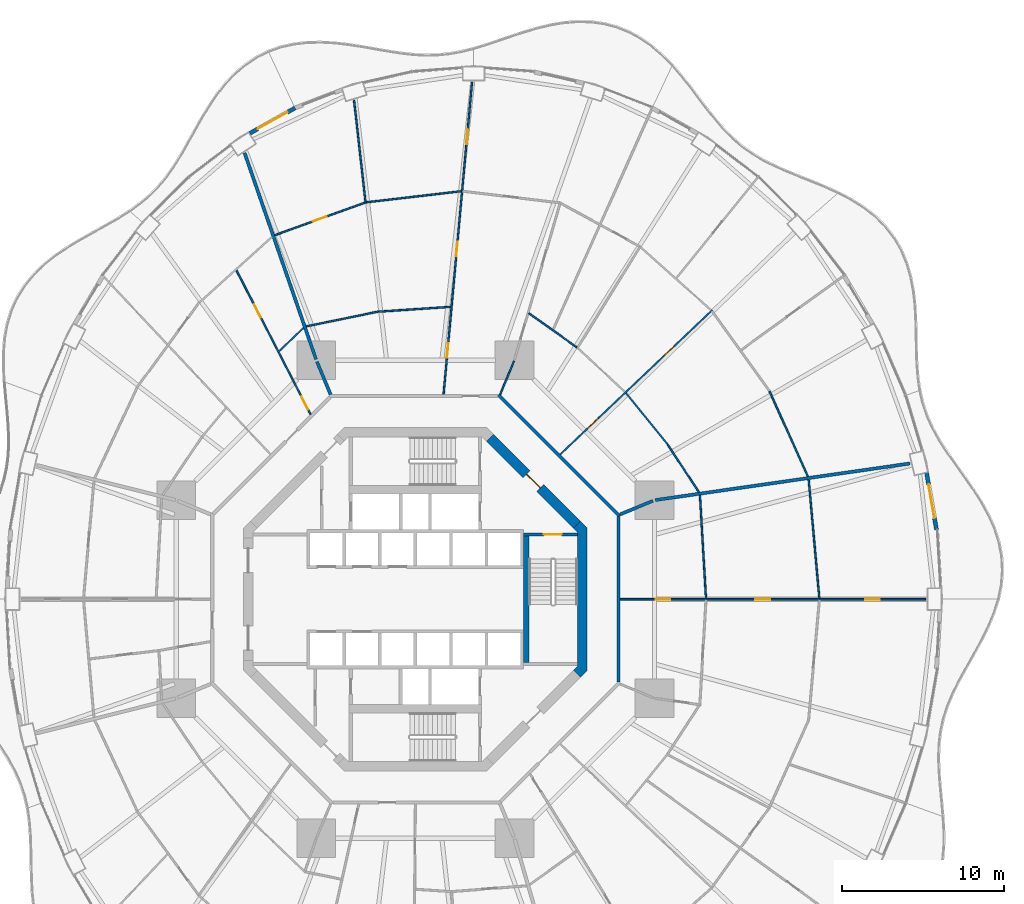
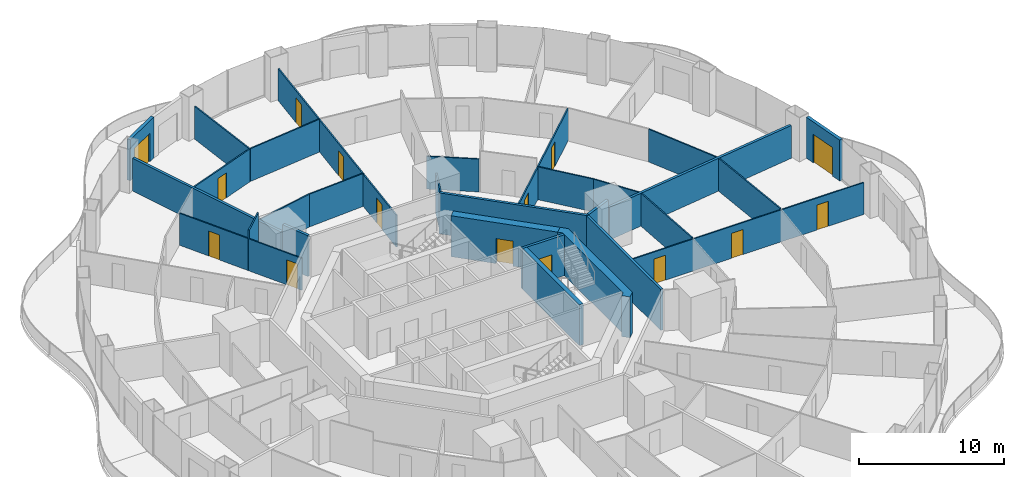
# One storey, part 18 of 22: 29 walls, 15 doors, 15 openings.
"""IFC4 building model written with IfcOpenShell, lengths in metres."""

from ifc_helpers import new_model, si_unit, direction, frame, frame_2d, origin, place, context, subcontext, project, spatial, polyline, rectangle, outline, extrude, material, layer, layer_set, type_object, element, fill, save


model = new_model("IFC4")

# Units and contexts
model_context = context("Model", 3, precision=1e-05, world=origin(), true_north=direction((0.0, 1.0)))
body_context = subcontext(model_context, "Body", "Model", "MODEL_VIEW")
ifc_project = project(units=[si_unit("LENGTHUNIT", "METRE"), si_unit("AREAUNIT", "SQUARE_METRE"), si_unit("VOLUMEUNIT", "CUBIC_METRE"), si_unit("PLANEANGLEUNIT", "RADIAN"), si_unit("MASSUNIT", "GRAM", prefix="KILO")], contexts=[model_context])

# Site, building, storey
site_placement = place(None, origin())
site = spatial("IfcSite", under=ifc_project, at=site_placement, CompositionType="ELEMENT")
building_placement = place(site_placement, origin())
building = spatial("IfcBuilding", under=site, at=building_placement, Name="Nagisa Residences", CompositionType="ELEMENT")
storey_placement = place(building_placement, frame((0.0, 0.0, 52.89990234375)))
storey = spatial("IfcBuildingStorey", under=building, at=storey_placement, Name="L12", CompositionType="ELEMENT", Elevation=52.89990234375)

# Walls
ifc_material_1 = material(Name="Gypsum board on steel studs", Category="steel")
ifc_layer_1 = layer(ifc_material_1, 0.199951171875)
ifc_layer_set_1 = layer_set([ifc_layer_1], Name="Apartment compartment wall EI60 200")
wall_type_1 = type_object("IfcWallType", Name="Apartment compartment wall EI60 200", PredefinedType="PARTITIONING", material=ifc_layer_set_1)
wall_1_placement = place(storey_placement, frame((12.6572265625, 5.24267578125, 0.0), z_axis=(0.0, 0.0, 1.0), x_axis=(0.923853160736, 0.382747093259, 0.0)))
element("IfcWall", 1, at=wall_1_placement, inside=storey, type_object=wall_type_1, Name="wall:L12:u00", PredefinedType="PARTITIONING", context=body_context, shape_type="SweptSolid", body=[
    extrude(rectangle(XDim=2.199951171875, YDim=0.199951171875, at=frame_2d((1.10009765625, 0.0))), origin(), (0.0, 0.0, 1.0), 3.440185546875),
])
wall_2_placement = place(storey_placement, frame((14.83154296875, 6.130126953125, 0.0), z_axis=(0.0, 0.0, 1.0), x_axis=(0.989836541293, 0.142209779978, 0.0)))
element("IfcWall", 2, at=wall_2_placement, inside=storey, type_object=wall_type_1, Name="wall:L12:u01", PredefinedType="PARTITIONING", context=body_context, shape_type="SweptSolid", body=[
    extrude(rectangle(XDim=15.9091796875, YDim=0.199951171875, at=frame_2d((7.95458984375, 0.0))), origin(), (0.0, 0.0, 1.0), 2.756103515625),
])
wall_3_placement = place(storey_placement, frame((-5.24267578125, 12.6572265625, 0.0), z_axis=(0.0, 0.0, 1.0), x_axis=(-0.382668627144, 0.923885664896, 0.0)))
element("IfcWall", 3, at=wall_3_placement, inside=storey, type_object=wall_type_1, Name="wall:L12:u02", PredefinedType="PARTITIONING", context=body_context, shape_type="SweptSolid", body=[
    extrude(rectangle(XDim=2.200439453125, YDim=0.199951171875, at=frame_2d((1.10009765625, 0.0))), origin(), (0.0, 0.0, 1.0), 3.440185546875),
])
wall_4_placement = place(storey_placement, frame((-6.139404296875, 14.829345703125, 0.0), z_axis=(0.0, 0.0, 1.0), x_axis=(-0.327178799566, 0.944962450637, 0.0)))
element("IfcWall", 4, at=wall_4_placement, inside=storey, type_object=wall_type_1, Name="wall:L12:u03", PredefinedType="PARTITIONING", context=body_context, shape_type="SweptSolid", body=[
    extrude(rectangle(XDim=13.517333984375, YDim=0.199951171875, at=frame_2d((6.7587890625, 0.0))), origin(), (0.0, 0.0, 1.0), 2.756103515625),
])
ifc_material_2 = material(Name="Gypsum board on steel studs", Category="steel")
ifc_layer_2 = layer(ifc_material_2, 0.199951171875)
ifc_layer_set_2 = layer_set([ifc_layer_2], Name="Apartment entry wall EI60 200")
wall_type_2 = type_object("IfcWallType", Name="Apartment entry wall EI60 200", PredefinedType="PARTITIONING", material=ifc_layer_set_2)
wall_5_placement = place(storey_placement, frame((12.564697265625, -5.1044921875, 0.0), z_axis=(0.0, 0.0, 1.0), x_axis=(0.0, 1.0, 0.0)))
element("IfcWall", 5, at=wall_5_placement, inside=storey, type_object=wall_type_2, Name="wall:L12:u10", PredefinedType="PARTITIONING", context=body_context, shape_type="SweptSolid", body=[
    extrude(rectangle(XDim=10.208984375, YDim=0.199951171875, at=frame_2d((5.1044921875, 0.0))), origin(), (0.0, 0.0, 1.0), 3.440185546875),
])
wall_6_placement = place(storey_placement, frame((12.635498046875, 5.1337890625, 0.0), z_axis=(0.0, 0.0, 1.0), x_axis=(-0.707106781187, 0.707106781187, 0.0)))
element("IfcWall", 6, at=wall_6_placement, inside=storey, type_object=wall_type_2, Name="wall:L12:u11", PredefinedType="PARTITIONING", context=body_context, shape_type="SweptSolid", body=[
    extrude(rectangle(XDim=10.609130859375, YDim=0.199951171875, at=frame_2d((5.3046875, 0.0))), origin(), (0.0, 0.0, 1.0), 3.440185546875),
])

# Wall, openings, doors
ifc_material_3 = material(Name="Gypsum board on steel studs", Category="steel")
ifc_layer_3 = layer(ifc_material_3, 0.10009765625)
ifc_layer_set_3 = layer_set([ifc_layer_3], Name="Apartment partition 100")
wall_type_3 = type_object("IfcWallType", Name="Apartment partition 100", PredefinedType="PARTITIONING", material=ifc_layer_set_3)
wall_7_placement = place(storey_placement, frame((12.664794921875, 0.0, 0.0), z_axis=(0.0, 0.0, 1.0), x_axis=(1.0, 0.0, 0.0)))
wall_7 = element("IfcWall", 7, at=wall_7_placement, inside=storey, type_object=wall_type_3, Name="wall:L12:u18", PredefinedType="PARTITIONING", context=body_context, shape_type="SweptSolid", body=[
    extrude(rectangle(XDim=18.88525390625, YDim=0.10009765625, at=frame_2d((9.442626953125, 0.0))), origin(), (0.0, 0.0, 1.0), 2.68701171875),
])
opening_1_placement = place(wall_7_placement, frame((2.204833984375, 0.0, 0.0)))
opening_1 = element("IfcOpeningElement", 8, at=opening_1_placement, cuts=wall_7, Name="Opening L12-U32", PredefinedType="OPENING", context=body_context, shape_type="SweptSolid", body=[
    extrude(rectangle(XDim=0.89990234375, YDim=2.10009765625, at=frame_2d((0.449951171875, 1.050048828125))), frame((0.0, 0.06005859375, 0.0), z_axis=(0.0, -1.0, 0.0), x_axis=(1.0, 0.0, 0.0)), (0.0, 0.0, 1.0), 0.1201171875),
])
opening_2_placement = place(wall_7_placement, frame((8.36572265625, 0.0, 0.0)))
opening_2 = element("IfcOpeningElement", 9, at=opening_2_placement, cuts=wall_7, Name="Opening L12-U36", PredefinedType="OPENING", context=body_context, shape_type="SweptSolid", body=[
    extrude(rectangle(XDim=0.89990234375, YDim=2.10009765625, at=frame_2d((0.449951171875, 1.050048828125))), frame((0.0, 0.06005859375, 0.0), z_axis=(0.0, -1.0, 0.0), x_axis=(1.0, 0.0, 0.0)), (0.0, 0.0, 1.0), 0.1201171875),
])
opening_3_placement = place(wall_7_placement, frame((15.153564453125, 0.0, 0.0)))
opening_3 = element("IfcOpeningElement", 10, at=opening_3_placement, cuts=wall_7, Name="Opening L12-U41", PredefinedType="OPENING", context=body_context, shape_type="SweptSolid", body=[
    extrude(rectangle(XDim=0.89990234375, YDim=2.10009765625, at=frame_2d((0.449951171875, 1.050048828125))), frame((0.0, 0.06005859375, 0.0), z_axis=(0.0, -1.0, 0.0), x_axis=(1.0, 0.0, 0.0)), (0.0, 0.0, 1.0), 0.1201171875),
])
ifc_material_4 = material(Name="Timber door set", Category="wood")
door_type_1 = type_object("IfcDoorType", Name="Apartment door 900x2100", OperationType="NOTDEFINED", PredefinedType="DOOR", material=ifc_material_4)
door_1_placement = place(opening_1_placement, origin())
door_1 = element("IfcDoor", 11, at=door_1_placement, inside=storey, type_object=door_type_1, Name="Door to store, Apartment 12D", OperationType="SINGLE_SWING_RIGHT", OverallHeight=2.10009765625, OverallWidth=0.89990234375, PredefinedType="DOOR", context=body_context, shape_type="SweptSolid", body=[
    extrude(rectangle(XDim=0.89990234375, YDim=2.10009765625, at=frame_2d((0.449951171875, 1.050048828125))), frame((0.0, 0.02490234375, 0.0), z_axis=(0.0, -1.0, 0.0), x_axis=(1.0, 0.0, 0.0)), (0.0, 0.0, 1.0), 0.050048828125),
])
fill(opening_1, door_1)
door_2_placement = place(opening_2_placement, origin())
door_2 = element("IfcDoor", 12, at=door_2_placement, inside=storey, type_object=door_type_1, Name="Door to family room, Apartment 12D", OperationType="SINGLE_SWING_RIGHT", OverallHeight=2.10009765625, OverallWidth=0.89990234375, PredefinedType="DOOR", context=body_context, shape_type="SweptSolid", body=[
    extrude(rectangle(XDim=0.89990234375, YDim=2.10009765625, at=frame_2d((0.449951171875, 1.050048828125))), frame((0.0, 0.02490234375, 0.0), z_axis=(0.0, -1.0, 0.0), x_axis=(1.0, 0.0, 0.0)), (0.0, 0.0, 1.0), 0.050048828125),
])
fill(opening_2, door_2)
door_3_placement = place(opening_3_placement, origin())
door_3 = element("IfcDoor", 13, at=door_3_placement, inside=storey, type_object=door_type_1, Name="Door to family room, Apartment 12D", OperationType="SINGLE_SWING_LEFT", OverallHeight=2.10009765625, OverallWidth=0.89990234375, PredefinedType="DOOR", context=body_context, shape_type="SweptSolid", body=[
    extrude(rectangle(XDim=0.89990234375, YDim=2.10009765625, at=frame_2d((0.449951171875, 1.050048828125))), frame((0.0, 0.02490234375, 0.0), z_axis=(0.0, -1.0, 0.0), x_axis=(1.0, 0.0, 0.0)), (0.0, 0.0, 1.0), 0.050048828125),
])
fill(opening_3, door_3)

# Walls
wall_8_placement = place(storey_placement, frame((17.971435546875, 0.0498046875, 0.0), z_axis=(0.0, 0.0, 1.0), x_axis=(-0.058513659907, 0.998286607946, 0.0)))
element("IfcWall", 14, at=wall_8_placement, inside=storey, type_object=wall_type_3, Name="wall:L12:u19", PredefinedType="PARTITIONING", context=body_context, shape_type="SweptSolid", body=[
    extrude(rectangle(XDim=6.387939453125, YDim=0.10009765625, at=frame_2d((3.19384765625, 0.0))), origin(), (0.0, 0.0, 1.0), 2.756103515625),
])
wall_9_placement = place(storey_placement, frame((24.982177734375, 0.0498046875, 0.0), z_axis=(0.0, 0.0, 1.0), x_axis=(-0.08944290521, 0.995991951126, 0.0)))
element("IfcWall", 15, at=wall_9_placement, inside=storey, type_object=wall_type_3, Name="wall:L12:u21", PredefinedType="PARTITIONING", context=body_context, shape_type="SweptSolid", body=[
    extrude(rectangle(XDim=7.37255859375, YDim=0.10009765625, at=frame_2d((3.686279296875, 0.0))), origin(), (0.0, 0.0, 1.0), 2.756103515625),
])
wall_10_placement = place(storey_placement, frame((17.537109375, 6.6103515625, 0.0), z_axis=(0.0, 0.0, 1.0), x_axis=(-0.547637987196, 0.836715384692, 0.0)))
element("IfcWall", 16, at=wall_10_placement, inside=storey, type_object=wall_type_3, Name="wall:L12:u23", PredefinedType="PARTITIONING", context=body_context, shape_type="SweptSolid", body=[
    extrude(rectangle(XDim=3.52001953125, YDim=0.10009765625, at=frame_2d((1.760009765625, 0.0))), origin(), (0.0, 0.0, 1.0), 2.756103515625),
])
wall_11_placement = place(storey_placement, frame((24.272705078125, 7.583740234375, 0.0), z_axis=(0.0, 0.0, 1.0), x_axis=(-0.410201529109, 0.911994904326, 0.0)))
element("IfcWall", 17, at=wall_11_placement, inside=storey, type_object=wall_type_3, Name="wall:L12:u24", PredefinedType="PARTITIONING", context=body_context, shape_type="SweptSolid", body=[
    extrude(rectangle(XDim=5.786865234375, YDim=0.10009765625, at=frame_2d((2.8935546875, 0.0))), origin(), (0.0, 0.0, 1.0), 2.756103515625),
])
wall_12_placement = place(storey_placement, frame((15.613525390625, 9.55859375, 0.0), z_axis=(0.0, 0.0, 1.0), x_axis=(-0.63012473344, 0.776493928056, 0.0)))
element("IfcWall", 18, at=wall_12_placement, inside=storey, type_object=wall_type_3, Name="wall:L12:u25", PredefinedType="PARTITIONING", context=body_context, shape_type="SweptSolid", body=[
    extrude(rectangle(XDim=4.1064453125, YDim=0.10009765625, at=frame_2d((2.05322265625, 0.0))), origin(), (0.0, 0.0, 1.0), 2.756103515625),
])

# Wall, openings, doors
wall_13_placement = place(storey_placement, frame((8.95703125, 8.953369140625, 0.0), z_axis=(0.0, 0.0, 1.0), x_axis=(0.725250022034, 0.688485588476, 0.0)))
wall_13 = element("IfcWall", 19, at=wall_13_placement, inside=storey, type_object=wall_type_3, Name="wall:L12:u28", PredefinedType="PARTITIONING", context=body_context, shape_type="SweptSolid", body=[
    extrude(rectangle(XDim=12.962646484375, YDim=0.10009765625, at=frame_2d((6.4814453125, 0.0))), origin(), (0.0, 0.0, 1.0), 2.68701171875),
])
opening_4_placement = place(wall_13_placement, frame((2.33349609375, 0.0, 0.0)))
opening_4 = element("IfcOpeningElement", 20, at=opening_4_placement, cuts=wall_13, Name="Opening L12-U54", PredefinedType="OPENING", context=body_context, shape_type="SweptSolid", body=[
    extrude(rectangle(XDim=0.89990234375, YDim=2.10009765625, at=frame_2d((0.449951171875, 1.050048828125))), frame((0.0, 0.06005859375, 0.0), z_axis=(0.0, -1.0, 0.0), x_axis=(1.0, 0.0, 0.0)), (0.0, 0.0, 1.0), 0.1201171875),
])
opening_5_placement = place(wall_13_placement, frame((8.78955078125, 0.0, 0.0)))
opening_5 = element("IfcOpeningElement", 21, at=opening_5_placement, cuts=wall_13, Name="Opening L12-U55", PredefinedType="OPENING", context=body_context, shape_type="SweptSolid", body=[
    extrude(rectangle(XDim=0.89990234375, YDim=2.10009765625, at=frame_2d((0.449951171875, 1.050048828125))), frame((0.0, 0.06005859375, 0.0), z_axis=(0.0, -1.0, 0.0), x_axis=(1.0, 0.0, 0.0)), (0.0, 0.0, 1.0), 0.1201171875),
])
door_4_placement = place(opening_4_placement, frame((0.89990234375, 0.0, 0.0), x_axis=(-1.0, 0.0, 0.0)))
door_4 = element("IfcDoor", 22, at=door_4_placement, inside=storey, type_object=door_type_1, Name="Door to laundry, Apartment 12E", OperationType="SINGLE_SWING_LEFT", OverallHeight=2.10009765625, OverallWidth=0.89990234375, PredefinedType="DOOR", context=body_context, shape_type="SweptSolid", body=[
    extrude(rectangle(XDim=0.89990234375, YDim=2.10009765625, at=frame_2d((0.449951171875, 1.050048828125))), frame((0.0, 0.02490234375, 0.0), z_axis=(0.0, -1.0, 0.0), x_axis=(1.0, 0.0, 0.0)), (0.0, 0.0, 1.0), 0.050048828125),
])
fill(opening_4, door_4)
door_5_placement = place(opening_5_placement, frame((0.89990234375, 0.0, 0.0), x_axis=(-1.0, 0.0, 0.0)))
door_5 = element("IfcDoor", 23, at=door_5_placement, inside=storey, type_object=door_type_1, Name="Door to dining room, Apartment 12E", OperationType="SINGLE_SWING_RIGHT", OverallHeight=2.10009765625, OverallWidth=0.89990234375, PredefinedType="DOOR", context=body_context, shape_type="SweptSolid", body=[
    extrude(rectangle(XDim=0.89990234375, YDim=2.10009765625, at=frame_2d((0.449951171875, 1.050048828125))), frame((0.0, 0.02490234375, 0.0), z_axis=(0.0, -1.0, 0.0), x_axis=(1.0, 0.0, 0.0)), (0.0, 0.0, 1.0), 0.050048828125),
])
fill(opening_5, door_5)

# Walls
wall_14_placement = place(storey_placement, frame((9.98876953125, 15.57421875, 0.0), z_axis=(0.0, 0.0, 1.0), x_axis=(-0.81494477814, 0.57953861699, 0.0)))
element("IfcWall", 24, at=wall_14_placement, inside=storey, type_object=wall_type_3, Name="wall:L12:u33", PredefinedType="PARTITIONING", context=body_context, shape_type="SweptSolid", body=[
    extrude(rectangle(XDim=3.644287109375, YDim=0.10009765625, at=frame_2d((1.822265625, 0.0))), origin(), (0.0, 0.0, 1.0), 2.756103515625),
])
wall_15_placement = place(storey_placement, frame((5.24267578125, 12.6572265625, 0.0), z_axis=(0.0, 0.0, 1.0), x_axis=(0.382719158442, 0.923864733477, 0.0)))
element("IfcWall", 25, at=wall_15_placement, inside=storey, type_object=wall_type_3, Name="wall:L12:u36", PredefinedType="PARTITIONING", context=body_context, shape_type="SweptSolid", body=[
    extrude(rectangle(XDim=2.25, YDim=0.10009765625, at=frame_2d((1.125, 0.0))), origin(), (0.0, 0.0, 1.0), 3.440185546875),
])

# Wall, openings, doors
wall_16_placement = place(storey_placement, frame((1.743896484375, 12.664306640625, 0.0), z_axis=(0.0, 0.0, 1.0), x_axis=(0.090893639596, 0.995860605849, 0.0)))
wall_16 = element("IfcWall", 26, at=wall_16_placement, inside=storey, type_object=wall_type_3, Name="wall:L12:u39", PredefinedType="PARTITIONING", context=body_context, shape_type="SweptSolid", body=[
    extrude(rectangle(XDim=19.3740234375, YDim=0.10009765625, at=frame_2d((9.68701171875, 0.0))), origin(), (0.0, 0.0, 1.0), 2.68701171875),
])
opening_6_placement = place(wall_16_placement, frame((2.270263671875, 0.0, 0.0)))
opening_6 = element("IfcOpeningElement", 27, at=opening_6_placement, cuts=wall_16, Name="Opening L12-U45", PredefinedType="OPENING", context=body_context, shape_type="SweptSolid", body=[
    extrude(rectangle(XDim=0.89990234375, YDim=2.10009765625, at=frame_2d((0.449951171875, 1.050048828125))), frame((0.0, 0.06005859375, 0.0), z_axis=(0.0, -1.0, 0.0), x_axis=(1.0, 0.0, 0.0)), (0.0, 0.0, 1.0), 0.1201171875),
])
opening_7_placement = place(wall_16_placement, frame((8.58154296875, 0.0, 0.0)))
opening_7 = element("IfcOpeningElement", 28, at=opening_7_placement, cuts=wall_16, Name="Opening L12-U48", PredefinedType="OPENING", context=body_context, shape_type="SweptSolid", body=[
    extrude(rectangle(XDim=0.89990234375, YDim=2.10009765625, at=frame_2d((0.449951171875, 1.050048828125))), frame((0.0, 0.06005859375, 0.0), z_axis=(0.0, -1.0, 0.0), x_axis=(1.0, 0.0, 0.0)), (0.0, 0.0, 1.0), 0.1201171875),
])
opening_8_placement = place(wall_16_placement, frame((15.54833984375, 0.0, 0.0)))
opening_8 = element("IfcOpeningElement", 29, at=opening_8_placement, cuts=wall_16, Name="Opening L12-U52", PredefinedType="OPENING", context=body_context, shape_type="SweptSolid", body=[
    extrude(rectangle(XDim=0.89990234375, YDim=2.10009765625, at=frame_2d((0.449951171875, 1.050048828125))), frame((0.0, 0.06005859375, 0.0), z_axis=(0.0, -1.0, 0.0), x_axis=(1.0, 0.0, 0.0)), (0.0, 0.0, 1.0), 0.1201171875),
])
door_6_placement = place(opening_6_placement, origin())
door_6 = element("IfcDoor", 30, at=door_6_placement, inside=storey, type_object=door_type_1, Name="Door to store, Apartment 12E", OperationType="SINGLE_SWING_LEFT", OverallHeight=2.10009765625, OverallWidth=0.89990234375, PredefinedType="DOOR", context=body_context, shape_type="SweptSolid", body=[
    extrude(rectangle(XDim=0.89990234375, YDim=2.10009765625, at=frame_2d((0.449951171875, 1.050048828125))), frame((0.0, 0.02490234375, 0.0), z_axis=(0.0, -1.0, 0.0), x_axis=(1.0, 0.0, 0.0)), (0.0, 0.0, 1.0), 0.050048828125),
])
fill(opening_6, door_6)
door_7_placement = place(opening_7_placement, origin())
door_7 = element("IfcDoor", 31, at=door_7_placement, inside=storey, type_object=door_type_1, Name="Door to dining room, Apartment 12E", OperationType="SINGLE_SWING_RIGHT", OverallHeight=2.10009765625, OverallWidth=0.89990234375, PredefinedType="DOOR", context=body_context, shape_type="SweptSolid", body=[
    extrude(rectangle(XDim=0.89990234375, YDim=2.10009765625, at=frame_2d((0.449951171875, 1.050048828125))), frame((0.0, 0.02490234375, 0.0), z_axis=(0.0, -1.0, 0.0), x_axis=(1.0, 0.0, 0.0)), (0.0, 0.0, 1.0), 0.050048828125),
])
fill(opening_7, door_7)
door_8_placement = place(opening_8_placement, origin())
door_8 = element("IfcDoor", 32, at=door_8_placement, inside=storey, type_object=door_type_1, Name="Door to master bedroom, Apartment 12E", OperationType="SINGLE_SWING_RIGHT", OverallHeight=2.10009765625, OverallWidth=0.89990234375, PredefinedType="DOOR", context=body_context, shape_type="SweptSolid", body=[
    extrude(rectangle(XDim=0.89990234375, YDim=2.10009765625, at=frame_2d((0.449951171875, 1.050048828125))), frame((0.0, 0.02490234375, 0.0), z_axis=(0.0, -1.0, 0.0), x_axis=(1.0, 0.0, 0.0)), (0.0, 0.0, 1.0), 0.050048828125),
])
fill(opening_8, door_8)

# Walls
wall_17_placement = place(storey_placement, frame((2.1884765625, 18.078857421875, 0.0), z_axis=(0.0, 0.0, 1.0), x_axis=(-0.997791437766, -0.066424744789, 0.0)))
element("IfcWall", 33, at=wall_17_placement, inside=storey, type_object=wall_type_3, Name="wall:L12:u40", PredefinedType="PARTITIONING", context=body_context, shape_type="SweptSolid", body=[
    extrude(rectangle(XDim=4.46923828125, YDim=0.10009765625, at=frame_2d((2.234619140625, 0.0))), origin(), (0.0, 0.0, 1.0), 2.756103515625),
])
wall_18_placement = place(storey_placement, frame((2.841552734375, 25.228759765625, 0.0), z_axis=(0.0, 0.0, 1.0), x_axis=(-0.993255612046, -0.115945198862, 0.0)))
element("IfcWall", 34, at=wall_18_placement, inside=storey, type_object=wall_type_3, Name="wall:L12:u41", PredefinedType="PARTITIONING", context=body_context, shape_type="SweptSolid", body=[
    extrude(rectangle(XDim=5.91259765625, YDim=0.10009765625, at=frame_2d((2.956298828125, 0.0))), origin(), (0.0, 0.0, 1.0), 2.756103515625),
])
wall_19_placement = place(storey_placement, frame((-2.27197265625, 17.788818359375, 0.0), z_axis=(0.0, 0.0, 1.0), x_axis=(-0.979595137747, -0.200981009307, 0.0)))
element("IfcWall", 35, at=wall_19_placement, inside=storey, type_object=wall_type_3, Name="wall:L12:u42", PredefinedType="PARTITIONING", context=body_context, shape_type="SweptSolid", body=[
    extrude(rectangle(XDim=4.5625, YDim=0.10009765625, at=frame_2d((2.28125, 0.0))), origin(), (0.0, 0.0, 1.0), 2.756103515625),
])
wall_20_placement = place(storey_placement, frame((-3.0751953125, 24.48779296875, 0.0), z_axis=(0.0, 0.0, 1.0), x_axis=(-0.111705235978, 0.993741384997, 0.0)))
element("IfcWall", 36, at=wall_20_placement, inside=storey, type_object=wall_type_3, Name="wall:L12:u43", PredefinedType="PARTITIONING", context=body_context, shape_type="SweptSolid", body=[
    extrude(rectangle(XDim=6.39501953125, YDim=0.10009765625, at=frame_2d((3.197509765625, 0.0))), origin(), (0.0, 0.0, 1.0), 2.756103515625),
])

# Wall, opening, door
wall_21_placement = place(storey_placement, frame((-3.1279296875, 24.5205078125, 0.0), z_axis=(0.0, 0.0, 1.0), x_axis=(-0.940401494588, -0.340066212636, 0.0)))
wall_21 = element("IfcWall", 37, at=wall_21_placement, inside=storey, type_object=wall_type_3, Name="wall:L12:u44", PredefinedType="PARTITIONING", context=body_context, shape_type="SweptSolid", body=[
    extrude(rectangle(XDim=5.9169921875, YDim=0.10009765625, at=frame_2d((2.95849609375, 0.0))), origin(), (0.0, 0.0, 1.0), 2.756103515625),
])
opening_9_placement = place(wall_21_placement, frame((2.508544921875, 0.0, 0.0)))
opening_9 = element("IfcOpeningElement", 38, at=opening_9_placement, cuts=wall_21, Name="Opening L12-U53", PredefinedType="OPENING", context=body_context, shape_type="SweptSolid", body=[
    extrude(rectangle(XDim=0.89990234375, YDim=2.10009765625, at=frame_2d((0.449951171875, 1.050048828125))), frame((0.0, 0.06005859375, 0.0), z_axis=(0.0, -1.0, 0.0), x_axis=(1.0, 0.0, 0.0)), (0.0, 0.0, 1.0), 0.1201171875),
])
door_9_placement = place(opening_9_placement, frame((0.89990234375, 0.0, 0.0), x_axis=(-1.0, 0.0, 0.0)))
door_9 = element("IfcDoor", 39, at=door_9_placement, inside=storey, type_object=door_type_1, Name="Door to living room, Apartment 12E", OperationType="SINGLE_SWING_RIGHT", OverallHeight=2.10009765625, OverallWidth=0.89990234375, PredefinedType="DOOR", context=body_context, shape_type="SweptSolid", body=[
    extrude(rectangle(XDim=0.89990234375, YDim=2.10009765625, at=frame_2d((0.449951171875, 1.050048828125))), frame((0.0, 0.02490234375, 0.0), z_axis=(0.0, -1.0, 0.0), x_axis=(1.0, 0.0, 0.0)), (0.0, 0.0, 1.0), 0.050048828125),
])
fill(opening_9, door_9)

# Wall
wall_22_placement = place(storey_placement, frame((-6.911865234375, 16.782470703125, 0.0), z_axis=(0.0, 0.0, 1.0), x_axis=(-0.722789289931, -0.691068478778, 0.0)))
element("IfcWall", 40, at=wall_22_placement, inside=storey, type_object=wall_type_3, Name="wall:L12:u45", PredefinedType="PARTITIONING", context=body_context, shape_type="SweptSolid", body=[
    extrude(rectangle(XDim=2.193603515625, YDim=0.10009765625, at=frame_2d((1.0966796875, 0.0))), origin(), (0.0, 0.0, 1.0), 3.440185546875),
])

# Wall, openings, doors
wall_23_placement = place(storey_placement, frame((-6.47705078125, 11.427001953125, 0.0), z_axis=(0.0, 0.0, 1.0), x_axis=(-0.457464037982, 0.889228122561, 0.0)))
wall_23 = element("IfcWall", 41, at=wall_23_placement, inside=storey, type_object=wall_type_3, Name="wall:L12:u47", PredefinedType="PARTITIONING", context=body_context, shape_type="SweptSolid", body=[
    extrude(rectangle(XDim=10.03173828125, YDim=0.10009765625, at=frame_2d((5.015869140625, 0.0))), origin(), (0.0, 0.0, 1.0), 2.68701171875),
])
opening_10_placement = place(wall_23_placement, frame((0.35009765625, 0.0, 0.0)))
opening_10 = element("IfcOpeningElement", 42, at=opening_10_placement, cuts=wall_23, Name="Opening L12-U02", PredefinedType="OPENING", context=body_context, shape_type="SweptSolid", body=[
    extrude(rectangle(XDim=0.89990234375, YDim=2.10009765625, at=frame_2d((0.449951171875, 1.050048828125))), frame((0.0, 0.06005859375, 0.0), z_axis=(0.0, -1.0, 0.0), x_axis=(1.0, 0.0, 0.0)), (0.0, 0.0, 1.0), 0.1201171875),
])
opening_11_placement = place(wall_23_placement, frame((6.735107421875, 0.0, 0.0)))
opening_11 = element("IfcOpeningElement", 43, at=opening_11_placement, cuts=wall_23, Name="Opening L12-U04", PredefinedType="OPENING", context=body_context, shape_type="SweptSolid", body=[
    extrude(rectangle(XDim=0.89990234375, YDim=2.10009765625, at=frame_2d((0.449951171875, 1.050048828125))), frame((0.0, 0.06005859375, 0.0), z_axis=(0.0, -1.0, 0.0), x_axis=(1.0, 0.0, 0.0)), (0.0, 0.0, 1.0), 0.1201171875),
])
door_10_placement = place(opening_10_placement, frame((0.89990234375, 0.0, 0.0), x_axis=(-1.0, 0.0, 0.0)))
door_10 = element("IfcDoor", 44, at=door_10_placement, inside=storey, type_object=door_type_1, Name="Door to family bathroom, Apartment 12A", OperationType="SINGLE_SWING_LEFT", OverallHeight=2.10009765625, OverallWidth=0.89990234375, PredefinedType="DOOR", context=body_context, shape_type="SweptSolid", body=[
    extrude(rectangle(XDim=0.89990234375, YDim=2.10009765625, at=frame_2d((0.449951171875, 1.050048828125))), frame((0.0, 0.02490234375, 0.0), z_axis=(0.0, -1.0, 0.0), x_axis=(1.0, 0.0, 0.0)), (0.0, 0.0, 1.0), 0.050048828125),
])
fill(opening_10, door_10)
door_11_placement = place(opening_11_placement, frame((0.89990234375, 0.0, 0.0), x_axis=(-1.0, 0.0, 0.0)))
door_11 = element("IfcDoor", 45, at=door_11_placement, inside=storey, type_object=door_type_1, Name="Door to family bathroom, Apartment 12A", OperationType="SINGLE_SWING_LEFT", OverallHeight=2.10009765625, OverallWidth=0.89990234375, PredefinedType="DOOR", context=body_context, shape_type="SweptSolid", body=[
    extrude(rectangle(XDim=0.89990234375, YDim=2.10009765625, at=frame_2d((0.449951171875, 1.050048828125))), frame((0.0, 0.02490234375, 0.0), z_axis=(0.0, -1.0, 0.0), x_axis=(1.0, 0.0, 0.0)), (0.0, 0.0, 1.0), 0.050048828125),
])
fill(opening_11, door_11)

# Wall, opening, door
ifc_material_5 = material(Name="Precast concrete C40/50", Category="concrete")
ifc_layer_4 = layer(ifc_material_5, 0.25)
ifc_layer_set_4 = layer_set([ifc_layer_4], Name="BALCONY DOOR WALL 250")
wall_type_4 = type_object("IfcWallType", Name="BALCONY DOOR WALL 250", PredefinedType="SOLIDWALL", material=ifc_layer_set_4)
wall_24_placement = place(storey_placement, frame((31.609130859375, 7.830078125, 0.0), z_axis=(0.0, 0.0, 1.0), x_axis=(0.172217377323, -0.98505897029, 0.0)))
wall_24 = element("IfcWall", 46, at=wall_24_placement, inside=storey, type_object=wall_type_4, Name="wall:L12:bay01", PredefinedType="SOLIDWALL", context=body_context, shape_type="SweptSolid", body=[
    extrude(rectangle(XDim=3.597900390625, YDim=0.25, at=frame_2d((1.798828125, 0.0))), origin(), (0.0, 0.0, 1.0), 3.440185546875),
])
opening_12_placement = place(wall_24_placement, frame((0.7490234375, 0.0, 0.0)))
opening_12 = element("IfcOpeningElement", 47, at=opening_12_placement, cuts=wall_24, Name="Opening BD-L12-01", PredefinedType="OPENING", context=body_context, shape_type="SweptSolid", body=[
    extrude(rectangle(XDim=2.10009765625, YDim=2.39990234375, at=frame_2d((1.050048828125, 1.199951171875))), frame((0.0, 0.135009765625, 0.0), z_axis=(0.0, -1.0, 0.0), x_axis=(1.0, 0.0, 0.0)), (0.0, 0.0, 1.0), 0.27001953125),
])
ifc_material_6 = material(Name="Aluminium and clear glass", Category="aluminium")
door_type_2 = type_object("IfcDoorType", Name="BALCONY SLIDING DOOR 2100x2400", OperationType="SLIDING_TO_LEFT", PredefinedType="DOOR", material=ifc_material_6)
door_12_placement = place(opening_12_placement, origin())
door_12 = element("IfcDoor", 48, at=door_12_placement, inside=storey, type_object=door_type_2, Name="door:L12:bay01", OperationType="SLIDING_TO_LEFT", OverallHeight=2.39990234375, OverallWidth=2.10009765625, PredefinedType="DOOR", context=body_context, shape_type="SweptSolid", body=[
    extrude(rectangle(XDim=2.10009765625, YDim=2.39990234375, at=frame_2d((1.050048828125, 1.199951171875))), frame((0.0, 0.02490234375, 0.0), z_axis=(0.0, -1.0, 0.0), x_axis=(1.0, 0.0, 0.0)), (0.0, 0.0, 1.0), 0.050048828125),
])
fill(opening_12, door_12)

wall_25_placement = place(storey_placement, frame((-10.228271484375, 28.8125, 0.0), z_axis=(0.0, 0.0, 1.0), x_axis=(0.872084295691, 0.489355679653, 0.0)))
wall_25 = element("IfcWall", 49, at=wall_25_placement, inside=storey, type_object=wall_type_4, Name="wall:L12:bay15", PredefinedType="SOLIDWALL", context=body_context, shape_type="SweptSolid", body=[
    extrude(rectangle(XDim=3.200927734375, YDim=0.25, at=frame_2d((1.6005859375, 0.0))), origin(), (0.0, 0.0, 1.0), 3.440185546875),
])
opening_13_placement = place(wall_25_placement, frame((0.550537109375, 0.0, 0.0)))
opening_13 = element("IfcOpeningElement", 50, at=opening_13_placement, cuts=wall_25, Name="Opening BD-L12-06", PredefinedType="OPENING", context=body_context, shape_type="SweptSolid", body=[
    extrude(rectangle(XDim=2.10009765625, YDim=2.39990234375, at=frame_2d((1.050048828125, 1.199951171875))), frame((0.0, 0.135009765625, 0.0), z_axis=(0.0, -1.0, 0.0), x_axis=(1.0, 0.0, 0.0)), (0.0, 0.0, 1.0), 0.27001953125),
])
door_13_placement = place(opening_13_placement, origin())
door_13 = element("IfcDoor", 51, at=door_13_placement, inside=storey, type_object=door_type_2, Name="door:L12:bay15", OperationType="SLIDING_TO_LEFT", OverallHeight=2.39990234375, OverallWidth=2.10009765625, PredefinedType="DOOR", context=body_context, shape_type="SweptSolid", body=[
    extrude(rectangle(XDim=2.10009765625, YDim=2.39990234375, at=frame_2d((1.050048828125, 1.199951171875))), frame((0.0, 0.02490234375, 0.0), z_axis=(0.0, -1.0, 0.0), x_axis=(1.0, 0.0, 0.0)), (0.0, 0.0, 1.0), 0.050048828125),
])
fill(opening_13, door_13)

ifc_material_7 = material(Name="Concrete C60", Category="concrete")
ifc_layer_5 = layer(ifc_material_7, 0.60009765625)
ifc_layer_set_5 = layer_set([ifc_layer_5], Name="Core shear wall 600")
wall_type_5 = type_object("IfcWallType", Name="Core shear wall 600", PredefinedType="SHEAR", material=ifc_layer_set_5)
wall_26_placement = place(storey_placement, frame((9.98828125, 4.613037109375, 0.0), z_axis=(0.0, 0.0, 1.0), x_axis=(-0.707106781187, 0.707106781187, 0.0)))
wall_26 = element("IfcWall", 52, at=wall_26_placement, inside=storey, type_object=wall_type_5, Name="wall:L12:core:flat1", PredefinedType="SHEAR", context=body_context, shape_type="SweptSolid", body=[
    extrude(rectangle(XDim=7.601806640625, YDim=0.60009765625, at=frame_2d((3.80078125, 0.0))), origin(), (0.0, 0.0, 1.0), 3.440185546875),
])
opening_14_placement = place(wall_26_placement, frame((3.200927734375, 0.0, 0.0)))
opening_14 = element("IfcOpeningElement", 53, at=opening_14_placement, cuts=wall_26, Name="Opening L12-C15", PredefinedType="OPENING", context=body_context, shape_type="SweptSolid", body=[
    extrude(rectangle(XDim=1.199951171875, YDim=2.10009765625, at=frame_2d((0.60009765625, 1.050048828125))), frame((0.0, 0.31005859375, 0.0), z_axis=(0.0, -1.0, 0.0), x_axis=(1.0, 0.0, 0.0)), (0.0, 0.0, 1.0), 0.6201171875),
])
ifc_material_8 = material(Name="Steel fire door", Category="steel")
door_type_3 = type_object("IfcDoorType", Name="Fire door EI60 1200x2100 single swing", OperationType="NOTDEFINED", PredefinedType="DOOR", material=ifc_material_8)
door_14_placement = place(opening_14_placement, origin())
door_14 = element("IfcDoor", 54, at=door_14_placement, inside=storey, type_object=door_type_3, Name="Firefighting lobby 1 door L12", OperationType="SINGLE_SWING_LEFT", OverallHeight=2.10009765625, OverallWidth=1.199951171875, PredefinedType="DOOR", context=body_context, shape_type="SweptSolid", body=[
    extrude(rectangle(XDim=1.199951171875, YDim=2.10009765625, at=frame_2d((0.60009765625, 1.050048828125))), frame((0.0, 0.02490234375, 0.0), z_axis=(0.0, -1.0, 0.0), x_axis=(1.0, 0.0, 0.0)), (0.0, 0.0, 1.0), 0.050048828125),
])
fill(opening_14, door_14)

# Wall
wall_27_placement = place(storey_placement, origin())
element("IfcWall", 55, at=wall_27_placement, inside=storey, type_object=wall_type_5, Name="wall:L12:core:flat0", PredefinedType="SHEAR", context=body_context, shape_type="SweptSolid", body=[
    extrude(outline(polyline([(9.776123046875, -4.40087890625), (10.024658203125, -4.15234375), (10.024658203125, -3.801025390625), (10.024658203125, 4.15234375), (9.776123046875, 4.40087890625), (10.200439453125, 4.8251953125), (10.62451171875, 4.40087890625), (10.62451171875, -4.40087890625), (10.200439453125, -4.8251953125), (9.776123046875, -4.40087890625)])), origin(), (0.0, 0.0, 1.0), 3.440185546875),
])

# Wall, opening, door
ifc_material_9 = material(Name="Concrete C60", Category="concrete")
ifc_layer_6 = layer(ifc_material_9, 0.199951171875)
ifc_layer_set_6 = layer_set([ifc_layer_6], Name="Stair enclosure wall 200")
wall_type_6 = type_object("IfcWallType", Name="Stair enclosure wall 200", PredefinedType="SOLIDWALL", material=ifc_layer_set_6)
wall_28_placement = place(storey_placement, frame((6.699951171875, 4.0, 0.0), z_axis=(0.0, 0.0, 1.0), x_axis=(1.0, 0.0, 0.0)))
wall_28 = element("IfcWall", 56, at=wall_28_placement, inside=storey, type_object=wall_type_6, Name="wall:L12:SE_n", PredefinedType="SOLIDWALL", context=body_context, shape_type="SweptSolid", body=[
    extrude(rectangle(XDim=3.32470703125, YDim=0.199951171875, at=frame_2d((1.662353515625, 0.0))), origin(), (0.0, 0.0, 1.0), 3.440185546875),
])
opening_15_placement = place(wall_28_placement, frame((1.25, 0.0, 0.0)))
opening_15 = element("IfcOpeningElement", 57, at=opening_15_placement, cuts=wall_28, Name="Opening L12-C09", PredefinedType="OPENING", context=body_context, shape_type="SweptSolid", body=[
    extrude(rectangle(XDim=1.10009765625, YDim=2.10009765625, at=frame_2d((0.550048828125, 1.050048828125))), frame((0.0, 0.10986328125, 0.0), z_axis=(0.0, -1.0, 0.0), x_axis=(1.0, 0.0, 0.0)), (0.0, 0.0, 1.0), 0.219970703125),
])
ifc_material_10 = material(Name="Steel fire door", Category="steel")
door_type_4 = type_object("IfcDoorType", Name="Fire door EI90 1100x2100 single swing", OperationType="NOTDEFINED", PredefinedType="DOOR", material=ifc_material_10)
door_15_placement = place(opening_15_placement, frame((1.10009765625, 0.0, 0.0), x_axis=(-1.0, 0.0, 0.0)))
door_15 = element("IfcDoor", 58, at=door_15_placement, inside=storey, type_object=door_type_4, Name="Stair door ST-E L12", OperationType="SINGLE_SWING_LEFT", OverallHeight=2.10009765625, OverallWidth=1.10009765625, PredefinedType="DOOR", context=body_context, shape_type="SweptSolid", body=[
    extrude(rectangle(XDim=1.10009765625, YDim=2.10009765625, at=frame_2d((0.550048828125, 1.050048828125))), frame((0.0, 0.02490234375, 0.0), z_axis=(0.0, -1.0, 0.0), x_axis=(1.0, 0.0, 0.0)), (0.0, 0.0, 1.0), 0.050048828125),
])
fill(opening_15, door_15)

# Wall
wall_29_placement = place(storey_placement, origin())
element("IfcWall", 59, at=wall_29_placement, inside=storey, type_object=wall_type_6, Name="wall:L12:SE_w", PredefinedType="SOLIDWALL", context=body_context, shape_type="SweptSolid", body=[
    extrude(outline(polyline([(7.024658203125, -3.89990234375), (6.699951171875, -3.89990234375), (6.699951171875, 3.89990234375), (7.024658203125, 3.89990234375), (7.024658203125, -3.89990234375)])), origin(), (0.0, 0.0, 1.0), 3.440185546875),
])

save(model, "model.ifc")
